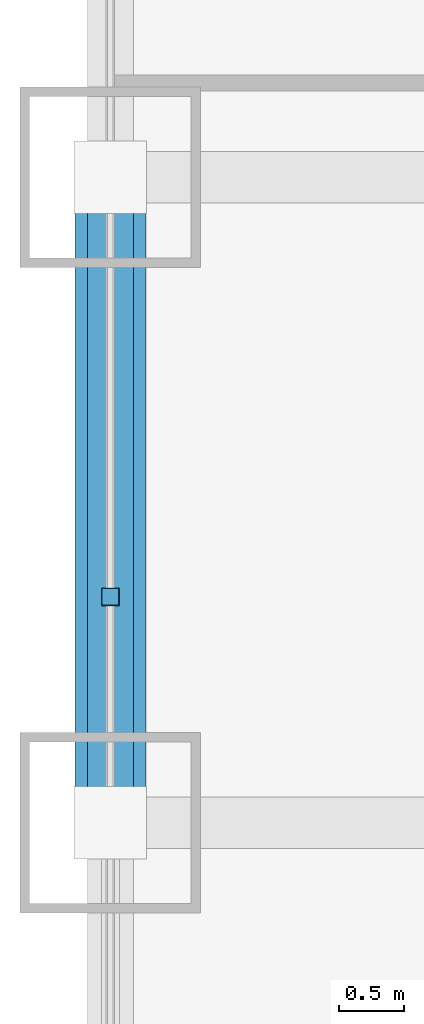
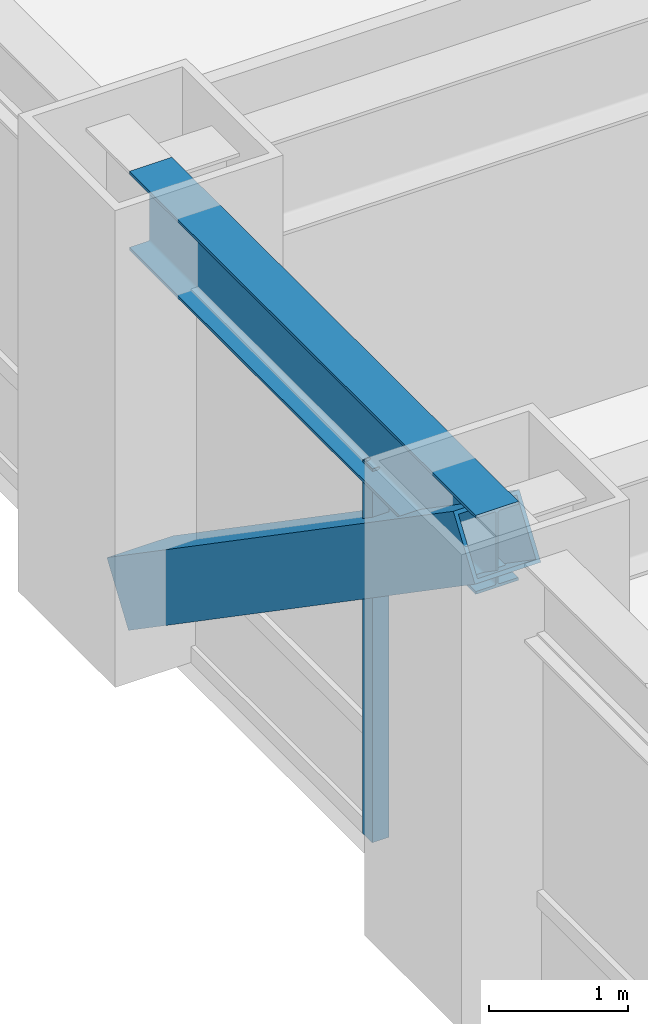
# One storey, part 6 of 27: 2 members, 1 beam, 1 element without a shape of its own.
"""IFC4 building model written with IfcOpenShell, lengths in metres."""

from ifc_helpers import new_model, si_unit, direction, frame, origin, origin_2d, place, context, subcontext, project, spatial, hollow_rectangle, i_section, extrude, source, transform, mapped, material, material_profile, profile_set, type_object, element, aggregate, save


model = new_model("IFC4")

# Units and contexts
model_context = context("Model", 3, precision=1e-05, world=origin(), true_north=direction((0.0, 1.0)))
body_context = subcontext(model_context, "Body", "Model", "MODEL_VIEW")
ifc_project = project(units=[si_unit("LENGTHUNIT", "METRE"), si_unit("AREAUNIT", "SQUARE_METRE"), si_unit("VOLUMEUNIT", "CUBIC_METRE"), si_unit("PLANEANGLEUNIT", "RADIAN"), si_unit("MASSUNIT", "GRAM", prefix="KILO")], contexts=[model_context])

# Site, building, storey
site_placement = place(None, origin())
site = spatial("IfcSite", under=ifc_project, at=site_placement, CompositionType="ELEMENT")
building_placement = place(site_placement, origin())
building = spatial("IfcBuilding", under=site, at=building_placement, Name="Khorayat Bourse Tower", CompositionType="ELEMENT")
storey_placement = place(building_placement, frame((0.0, 0.0, 45.199951171875)))
storey = spatial("IfcBuildingStorey", under=building, at=storey_placement, Name="L09", CompositionType="ELEMENT", Elevation=45.199951171875)

# Beam
ifc_material_1 = material(Name="Steel ASTM A992 Grade 50", Category="steel")
ifc_material_profile_1 = material_profile(ifc_material_1, i_section(OverallWidth=0.35498046875, OverallDepth=0.695068359375, WebThickness=0.015380859375, FlangeThickness=0.02490234375, FilletRadius=0.01806640625, at=origin_2d()), Name="W690X217")
ifc_profile_set_1 = profile_set([ifc_material_profile_1], Name="Steel ASTM A992 Grade 50")
beam_type = type_object("IfcBeamType", Name="BM-SPAN-690", PredefinedType="SPANDREL", material=ifc_profile_set_1)
shared_shape_1 = source(origin(), body_context, "Body", "SweptSolid", [
    extrude(i_section(OverallWidth=0.35498046875, OverallDepth=0.695068359375, WebThickness=0.015380859375, FlangeThickness=0.02490234375, FilletRadius=0.01806640625, at=origin_2d()), origin(), (0.0, 0.0, 1.0), 5.0),
])
beam_placement = place(storey_placement, frame((-32.0, -11.0, 3.592529296875), z_axis=(0.0, 1.0, 0.0), x_axis=(-1.0, 0.0, 0.0)))
element("IfcBeam", 1, at=beam_placement, inside=storey, type_object=beam_type, Name="L09 BM-SPAN-690 BM-L09-SPN-059", PredefinedType="SPANDREL", context=body_context, shape_type="MappedRepresentation", body=[
    mapped(shared_shape_1, transform((0.0, 0.0, 0.0), scale=1.0)),
])

# Member
ifc_material_2 = material(Name="Steel EN 10025-4 S460M", Category="steel")
ifc_material_profile_2 = material_profile(ifc_material_2, hollow_rectangle(XDim=0.550048828125, YDim=0.550048828125, WallThickness=0.031982421875, at=origin_2d()), Name="HSS 550x550x32")
ifc_profile_set_2 = profile_set([ifc_material_profile_2], Name="Steel EN 10025-4 S460M")
member_type_1 = type_object("IfcMemberType", Name="MBR-TUBE-550", PredefinedType="BRACE", material=ifc_profile_set_2)
shared_shape_2 = source(origin(), body_context, "Body", "SweptSolid", [
    extrude(hollow_rectangle(XDim=0.550048828125, YDim=0.550048828125, WallThickness=0.031982421875, at=origin_2d()), origin(), (0.0, 0.0, 1.0), 6.069091796875),
])
member_1_placement = place(storey_placement, frame((-32.0, -11.0, 3.68994140625), z_axis=(0.0, 0.823854080622, -0.566801952928), x_axis=(-1.0, 0.0, 0.0)))
element("IfcMember", 2, at=member_1_placement, inside=storey, type_object=member_type_1, Name="L09 Perimeter Tube Brace 05", PredefinedType="BRACE", context=body_context, shape_type="MappedRepresentation", body=[
    mapped(shared_shape_2, transform((0.0, 0.0, 0.0), scale=1.0)),
])

# Curtain wall, member
ifc_material_3 = material(Name="Aluminium EN AW-6063 T6", Category="aluminium")
curtain_wall_type = type_object("IfcCurtainWallType", Name="CW-SYS-02", PredefinedType="NOTDEFINED", material=ifc_material_3)
curtain_wall_placement = place(storey_placement, origin())
curtain_wall = element("IfcCurtainWall", 3, at=curtain_wall_placement, inside=storey, type_object=curtain_wall_type, Name="L09 Curtain Wall CW-L09-W1", PredefinedType="NOTDEFINED")
ifc_material_profile_3 = material_profile(ifc_material_3, hollow_rectangle(XDim=0.139892578125, YDim=0.139892578125, WallThickness=0.006103515625, at=origin_2d()), Name="ALU 140x140x6")
ifc_profile_set_3 = profile_set([ifc_material_profile_3], Name="Aluminium EN AW-6063 T6")
member_type_2 = type_object("IfcMemberType", Name="CWM-VERT-140", PredefinedType="MULLION", material=ifc_profile_set_3)
shared_shape_3 = source(origin(), body_context, "Body", "SweptSolid", [
    extrude(hollow_rectangle(XDim=0.139892578125, YDim=0.139892578125, WallThickness=0.006103515625, at=origin_2d()), origin(), (0.0, 0.0, 1.0), 3.2900390625),
])
member_2_placement = place(storey_placement, frame((-32.0, -9.25, 0.0), z_axis=(0.0, 0.0, 1.0), x_axis=(-1.0, 0.0, 0.0)))
member_2 = element("IfcMember", 4, at=member_2_placement, type_object=member_type_2, Name="CW-L09-W1 Vertical Mullion 2", PredefinedType="MULLION", context=body_context, shape_type="MappedRepresentation", body=[
    mapped(shared_shape_3, transform((0.0, 0.0, 0.0), scale=1.0)),
])
aggregate(curtain_wall, [member_2])

save(model, "model.ifc")
